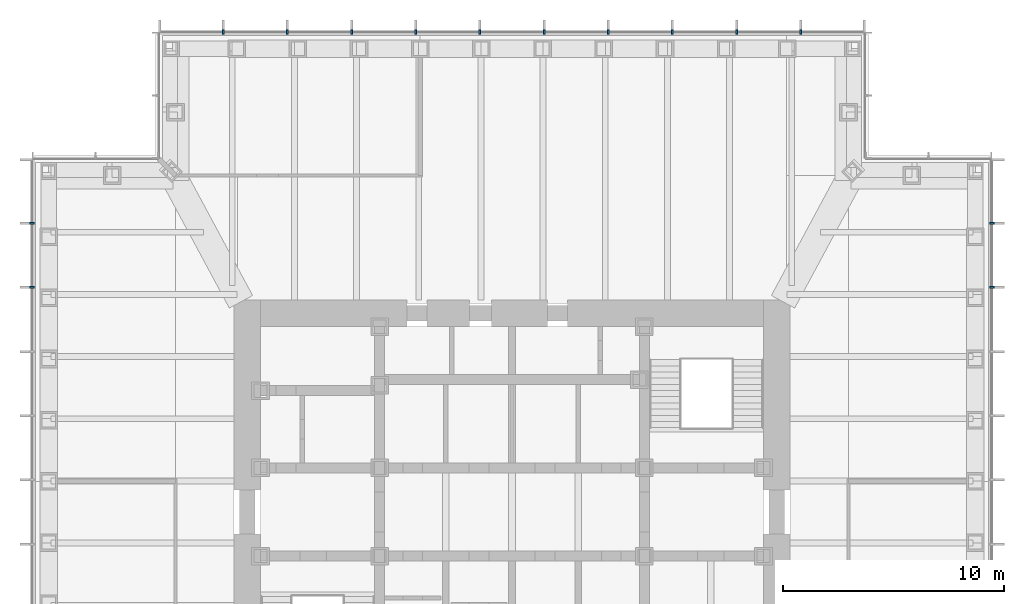
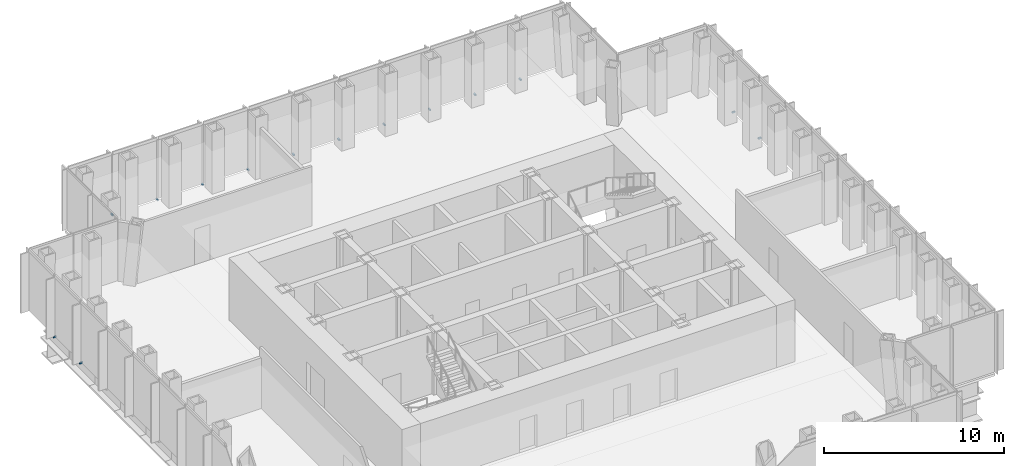
# One storey, part 13 of 14: 14 discrete accessories.
"""IFC4 building model written with IfcOpenShell, lengths in metres."""

from ifc_helpers import new_model, si_unit, direction, frame, origin, origin_2d, place, context, subcontext, project, spatial, rectangle, extrude, element, save


model = new_model("IFC4")

# Units and contexts
model_context = context("Model", 3, precision=1e-05, world=origin(), true_north=direction((0.0, 1.0)))
body_context = subcontext(model_context, "Body", "Model", "MODEL_VIEW")
ifc_project = project(units=[si_unit("LENGTHUNIT", "METRE"), si_unit("AREAUNIT", "SQUARE_METRE"), si_unit("VOLUMEUNIT", "CUBIC_METRE"), si_unit("PLANEANGLEUNIT", "RADIAN"), si_unit("MASSUNIT", "GRAM", prefix="KILO")], contexts=[model_context])

# Site, building, storey
site_placement = place(None, origin())
site = spatial("IfcSite", under=ifc_project, at=site_placement, CompositionType="ELEMENT")
building_placement = place(site_placement, origin())
building = spatial("IfcBuilding", under=site, at=building_placement, Name="Daluyong Arena Tower", CompositionType="ELEMENT")
storey_placement = place(building_placement, frame((0.0, 0.0, 250.300048828125)))
storey = spatial("IfcBuildingStorey", under=building, at=storey_placement, Name="L56", CompositionType="ELEMENT", Elevation=250.300048828125)

# Discrete accessories
for number, where, z_axis, x_axis, name in (
    (1, (77.75, 90.181884765625, -0.10009765625), (0.0, 0.0, 1.0), (0.0, 1.0, 0.0), "curtain wall L56 E anchor bracket 10"),
    (2, (77.75, 93.0908203125, -0.10009765625), (0.0, 0.0, 1.0), (0.0, 1.0, 0.0), "curtain wall L56 E anchor bracket 11"),
    (3, (69.0908203125, 101.75, -0.10009765625), (0.0, 0.0, 1.0), (-1.0, 0.0, 0.0), "curtain wall L56 N anchor bracket 2"),
    (4, (66.181884765625, 101.75, -0.10009765625), (0.0, 0.0, 1.0), (-1.0, 0.0, 0.0), "curtain wall L56 N anchor bracket 3"),
    (5, (63.272705078125, 101.75, -0.10009765625), (0.0, 0.0, 1.0), (-1.0, 0.0, 0.0), "curtain wall L56 N anchor bracket 4"),
    (6, (60.363525390625, 101.75, -0.10009765625), (0.0, 0.0, 1.0), (-1.0, 0.0, 0.0), "curtain wall L56 N anchor bracket 5"),
    (7, (57.45458984375, 101.75, -0.10009765625), (0.0, 0.0, 1.0), (-1.0, 0.0, 0.0), "curtain wall L56 N anchor bracket 6"),
    (8, (54.54541015625, 101.75, -0.10009765625), (0.0, 0.0, 1.0), (-1.0, 0.0, 0.0), "curtain wall L56 N anchor bracket 7"),
    (9, (51.636474609375, 101.75, -0.10009765625), (0.0, 0.0, 1.0), (-1.0, 0.0, 0.0), "curtain wall L56 N anchor bracket 8"),
    (10, (48.727294921875, 101.75, -0.10009765625), (0.0, 0.0, 1.0), (-1.0, 0.0, 0.0), "curtain wall L56 N anchor bracket 9"),
    (11, (45.818115234375, 101.75, -0.10009765625), (0.0, 0.0, 1.0), (-1.0, 0.0, 0.0), "curtain wall L56 N anchor bracket 10"),
    (12, (42.9091796875, 101.75, -0.10009765625), (0.0, 0.0, 1.0), (-1.0, 0.0, 0.0), "curtain wall L56 N anchor bracket 11"),
    (13, (34.25, 93.0908203125, -0.10009765625), (0.0, 0.0, 1.0), (0.0, -1.0, 0.0), "curtain wall L56 W anchor bracket 2"),
    (14, (34.25, 90.181884765625, -0.10009765625), (0.0, 0.0, 1.0), (0.0, -1.0, 0.0), "curtain wall L56 W anchor bracket 3"),
):
    element("IfcDiscreteAccessory", number, at=place(storey_placement, frame(where, z_axis=z_axis, x_axis=x_axis)), inside=storey, Name=name, PredefinedType="BRACKET", context=body_context, shape_type="SweptSolid", body=[
        extrude(rectangle(XDim=0.090087890625, YDim=0.199951171875, at=origin_2d()), origin(), (0.0, 0.0, 1.0), 0.10009765625),
    ])

save(model, "model.ifc")
